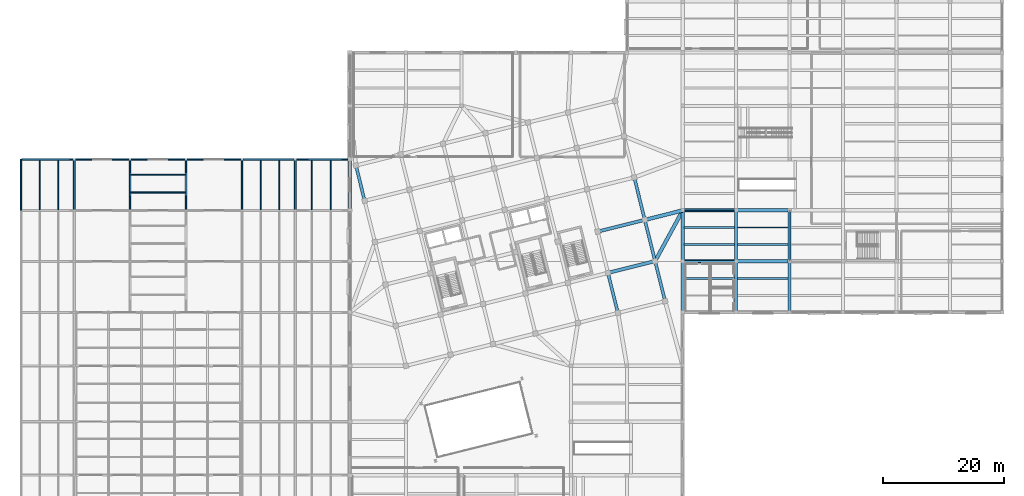
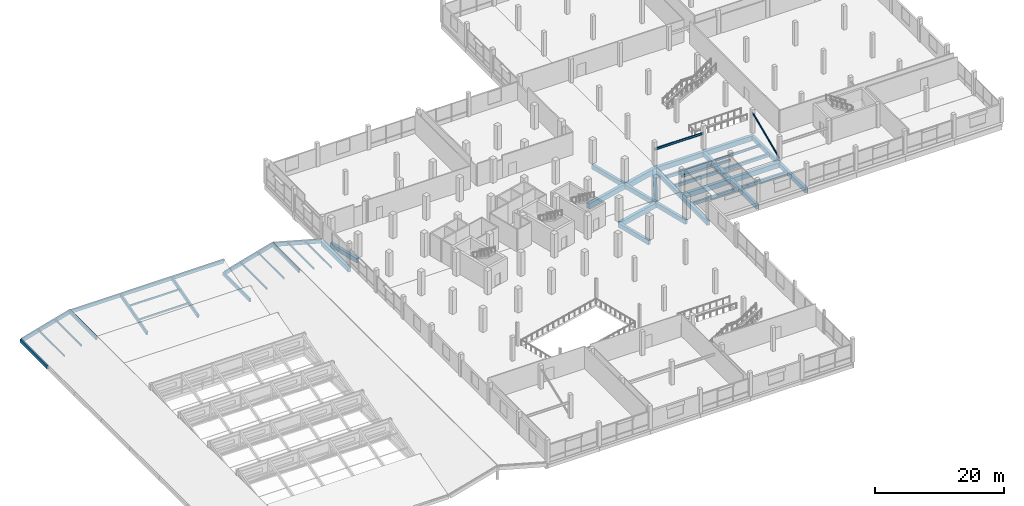
# One storey, part 36 of 77: 40 beams, 9 members.
"""IFC4 building model written with IfcOpenShell, lengths in metres."""

from ifc_helpers import new_model, si_unit, direction, frame, origin, origin_2d, place, context, subcontext, project, spatial, rectangle, hollow_circle, i_section, extrude, material, material_profile, profile_set, type_object, element, save


model = new_model("IFC4")

# Units and contexts
model_context = context("Model", 3, precision=1e-05, world=origin(), true_north=direction((0.0, 1.0)))
body_context = subcontext(model_context, "Body", "Model", "MODEL_VIEW")
ifc_project = project(units=[si_unit("LENGTHUNIT", "METRE"), si_unit("AREAUNIT", "SQUARE_METRE"), si_unit("VOLUMEUNIT", "CUBIC_METRE"), si_unit("PLANEANGLEUNIT", "RADIAN"), si_unit("MASSUNIT", "GRAM", prefix="KILO")], contexts=[model_context])

# Site, building, storey
site_placement = place(None, origin())
site = spatial("IfcSite", under=ifc_project, at=site_placement, CompositionType="ELEMENT")
building_placement = place(site_placement, origin())
building = spatial("IfcBuilding", under=site, at=building_placement, Name="Meriwether Solvik Hall", CompositionType="ELEMENT")
storey_placement = place(building_placement, frame((0.0, 0.0, 9.89990234375)))
storey = spatial("IfcBuildingStorey", under=building, at=storey_placement, Name="L02", CompositionType="ELEMENT", Elevation=9.89990234375)

# Beams
ifc_material_1 = material(Name="Glulam Douglas-Fir 24F-V8 GL28h", Category="wood")
ifc_material_profile_1 = material_profile(ifc_material_1, rectangle(XDim=0.27294921875, YDim=0.610107421875, at=origin_2d()), Name="GLB-273X610")
ifc_profile_set_1 = profile_set([ifc_material_profile_1], Name="Glulam Douglas-Fir 24F-V8 GL28h")
beam_type_1 = type_object("IfcBeamType", Name="BM-GL-273X610", PredefinedType="SPANDREL", material=ifc_profile_set_1)
for number, where, z_axis, x_axis, name in (
    (1, (5.199951171875, 66.800048828125, -0.323974609375), (0.0, 1.0, 0.0), (-1.0, 0.0, 0.0), "Roof Tie Beam 1:H-I (L02)"),
    (2, (14.0, 66.800048828125, 2.135986328125), (0.0, 1.0, 0.0), (-1.0, 0.0, 0.0), "Roof Tie Beam 2:H-I (L02)"),
):
    element("IfcBeam", number, at=place(storey_placement, frame(where, z_axis=z_axis, x_axis=x_axis)), inside=storey, type_object=beam_type_1, Name=name, PredefinedType="SPANDREL", context=body_context, shape_type="SweptSolid", body=[
        extrude(rectangle(XDim=0.27294921875, YDim=0.610107421875, at=origin_2d()), origin(), (0.0, 0.0, 1.0), 8.39990234375),
    ])
for number, where, z_axis, x_axis, name in (
    (3, (14.0, 75.199951171875, 2.035888671875), (1.0, 0.0, 0.0), (0.0, 1.0, 0.0), "Roof Tie Beam I:2-3 (L02)"),
    (4, (23.199951171875, 75.199951171875, 2.035888671875), (1.0, 0.0, 0.0), (0.0, 1.0, 0.0), "Roof Tie Beam I:3-4 (L02)"),
):
    element("IfcBeam", number, at=place(storey_placement, frame(where, z_axis=z_axis, x_axis=x_axis)), inside=storey, type_object=beam_type_1, Name=name, PredefinedType="SPANDREL", context=body_context, shape_type="SweptSolid", body=[
        extrude(rectangle(XDim=0.27294921875, YDim=0.610107421875, at=origin_2d()), origin(), (0.0, 0.0, 1.0), 9.199951171875),
    ])
beam_1_placement = place(storey_placement, frame((32.39990234375, 75.199951171875, 2.035888671875), z_axis=(1.0, 0.0, 0.0), x_axis=(0.0, 1.0, 0.0)))
element("IfcBeam", 5, at=beam_1_placement, inside=storey, type_object=beam_type_1, Name="Roof Tie Beam I:4-5 (L02)", PredefinedType="SPANDREL", context=body_context, shape_type="SweptSolid", body=[
    extrude(rectangle(XDim=0.27294921875, YDim=0.610107421875, at=origin_2d()), origin(), (0.0, 0.0, 1.0), 9.2001953125),
])
for number, where, z_axis, x_axis, name in (
    (6, (41.60009765625, 66.800048828125, -0.323974609375), (0.0, 1.0, 0.0), (-1.0, 0.0, 0.0), "Roof Tie Beam 5:H-I (L02)"),
    (7, (50.39990234375, 66.800048828125, 2.135986328125), (0.0, 1.0, 0.0), (-1.0, 0.0, 0.0), "Roof Tie Beam 6:H-I (L02)"),
):
    element("IfcBeam", number, at=place(storey_placement, frame(where, z_axis=z_axis, x_axis=x_axis)), inside=storey, type_object=beam_type_1, Name=name, PredefinedType="SPANDREL", context=body_context, shape_type="SweptSolid", body=[
        extrude(rectangle(XDim=0.27294921875, YDim=0.610107421875, at=origin_2d()), origin(), (0.0, 0.0, 1.0), 8.39990234375),
    ])
ifc_material_2 = material(Name="Glulam Douglas-Fir 24F-V8 GL28h", Category="wood")
ifc_material_profile_2 = material_profile(ifc_material_2, rectangle(XDim=0.27294921875, YDim=0.68505859375, at=origin_2d()), Name="GLB-273X685")
ifc_profile_set_2 = profile_set([ifc_material_profile_2], Name="Glulam Douglas-Fir 24F-V8 GL28h")
beam_type_2 = type_object("IfcBeamType", Name="BM-GL-273X685", PredefinedType="BEAM", material=ifc_profile_set_2)
beam_2_placement = place(storey_placement, frame((5.420166015625, 75.199951171875, -0.31298828125), z_axis=(0.963077401933, 0.0, 0.269224660621), x_axis=(0.0, 1.0, 0.0)))
element("IfcBeam", 8, at=beam_2_placement, inside=storey, type_object=beam_type_2, Name="Raking Glulam Roof Rafter w1_west_aisle-I (L02)", PredefinedType="BEAM", context=body_context, shape_type="SweptSolid", body=[
    extrude(rectangle(XDim=0.27294921875, YDim=0.68505859375, at=origin_2d()), origin(), (0.0, 0.0, 1.0), 8.87158203125),
])
for number, where, z_axis, x_axis, name in (
    (9, (23.199951171875, 67.020751953125, -0.312744140625), (0.0, 0.962731057021, 0.270460555066), (-1.0, 0.0, 0.0), "Raking Glulam Roof Rafter w1_north_s3-3 (L02)"),
    (10, (32.39990234375, 67.020751953125, -0.312744140625), (0.0, 0.962731057021, 0.270460555066), (-1.0, 0.0, 0.0), "Raking Glulam Roof Rafter w1_north_s3-4 (L02)"),
):
    element("IfcBeam", number, at=place(storey_placement, frame(where, z_axis=z_axis, x_axis=x_axis)), inside=storey, type_object=beam_type_2, Name=name, PredefinedType="BEAM", context=body_context, shape_type="SweptSolid", body=[
        extrude(rectangle(XDim=0.27294921875, YDim=0.68505859375, at=origin_2d()), origin(), (0.0, 0.0, 1.0), 8.458984375),
    ])
beam_3_placement = place(storey_placement, frame((41.8203125, 75.199951171875, -0.31298828125), z_axis=(0.963077401933, 0.0, 0.269224660621), x_axis=(0.0, 1.0, 0.0)))
element("IfcBeam", 11, at=beam_3_placement, inside=storey, type_object=beam_type_2, Name="Raking Glulam Roof Rafter w1_east_gbl_w-I (L02)", PredefinedType="BEAM", context=body_context, shape_type="SweptSolid", body=[
    extrude(rectangle(XDim=0.27294921875, YDim=0.68505859375, at=origin_2d()), origin(), (0.0, 0.0, 1.0), 8.87158203125),
])
beam_4_placement = place(storey_placement, frame((59.181640625, 75.199951171875, -0.314208984375), z_axis=(-0.964611383686, 0.0, 0.263675707002), x_axis=(0.0, -1.0, 0.0)))
element("IfcBeam", 12, at=beam_4_placement, inside=storey, type_object=beam_type_2, Name="Raking Glulam Roof Rafter w1_east_gbl_e-I (L02)", PredefinedType="BEAM", context=body_context, shape_type="SweptSolid", body=[
    extrude(rectangle(XDim=0.27294921875, YDim=0.68505859375, at=origin_2d()), origin(), (0.0, 0.0, 1.0), 9.064697265625),
])
ifc_material_3 = material(Name="Concrete C40/50", Category="concrete")
ifc_material_profile_3 = material_profile(ifc_material_3, rectangle(XDim=0.300048828125, YDim=0.449951171875, at=origin_2d()), Name="RCB-300X450")
ifc_profile_set_3 = profile_set([ifc_material_profile_3], Name="Concrete C40/50")
beam_type_3 = type_object("IfcBeamType", Name="BM-RC-300X450", PredefinedType="LINTEL", material=ifc_profile_set_3)
beam_5_placement = place(storey_placement, frame((114.199951171875, 58.39990234375, 2.925048828125), z_axis=(1.0, 0.0, 0.0), x_axis=(0.0, 1.0, 0.0)))
element("IfcBeam", 13, at=beam_5_placement, inside=storey, type_object=beam_type_3, Name="Galleria Portal Lintel G:13-14 (L02)", PredefinedType="LINTEL", context=body_context, shape_type="SweptSolid", body=[
    extrude(rectangle(XDim=0.300048828125, YDim=0.449951171875, at=origin_2d()), origin(), (0.0, 0.0, 1.0), 8.800048828125),
])
ifc_material_4 = material(Name="Concrete C40/50", Category="concrete")
ifc_material_profile_4 = material_profile(ifc_material_4, rectangle(XDim=0.35009765625, YDim=0.60009765625, at=origin_2d()), Name="RCB-350X600")
ifc_profile_set_4 = profile_set([ifc_material_profile_4], Name="Concrete C40/50")
beam_type_4 = type_object("IfcBeamType", Name="BM-RC-350X600", PredefinedType="JOIST", material=ifc_profile_set_4)
for number, where, z_axis, x_axis, name in (
    (14, (114.445068359375, 55.60009765625, -0.75), (1.0, 0.0, 0.0), (0.0, 1.0, 0.0), "Secondary Floor Joist 13/F_J2 (L02)"),
    (15, (114.445068359375, 61.199951171875, -0.75), (1.0, 0.0, 0.0), (0.0, 1.0, 0.0), "Secondary Floor Joist 13/G_J1 (L02)"),
    (16, (114.445068359375, 64.0, -0.75), (1.0, 0.0, 0.0), (0.0, 1.0, 0.0), "Secondary Floor Joist 13/G_J2 (L02)"),
    (17, (123.2451171875, 55.60009765625, -0.75), (1.0, 0.0, 0.0), (0.0, 1.0, 0.0), "Secondary Floor Joist 14/F_J2 (L02)"),
    (18, (123.2451171875, 61.199951171875, -0.75), (1.0, 0.0, 0.0), (0.0, 1.0, 0.0), "Secondary Floor Joist 14/G_J1 (L02)"),
):
    element("IfcBeam", number, at=place(storey_placement, frame(where, z_axis=z_axis, x_axis=x_axis)), inside=storey, type_object=beam_type_4, Name=name, PredefinedType="JOIST", context=body_context, shape_type="SweptSolid", body=[
        extrude(rectangle(XDim=0.35009765625, YDim=0.60009765625, at=origin_2d()), origin(), (0.0, 0.0, 1.0), 8.309814453125),
    ])
ifc_material_5 = material(Name="Concrete C40/50", Category="concrete")
ifc_material_profile_5 = material_profile(ifc_material_5, rectangle(XDim=0.5, YDim=0.85009765625, at=origin_2d()), Name="RCB-500X850")
ifc_profile_set_5 = profile_set([ifc_material_profile_5], Name="Concrete C40/50")
beam_type_5 = type_object("IfcBeamType", Name="BM-RC-500X850", PredefinedType="BEAM", material=ifc_profile_set_5)
for number, where, z_axis, x_axis, name in (
    (19, (59.39990234375, 66.800048828125, -0.7548828125), (0.0, 1.0, 0.0), (-1.0, 0.0, 0.0), "Podium Girder 7:H-I (L02)"),
    (20, (114.199951171875, 50.0, -0.875), (0.0, 1.0, 0.0), (-1.0, 0.0, 0.0), "Podium Girder 13:F-G (L02)"),
):
    element("IfcBeam", number, at=place(storey_placement, frame(where, z_axis=z_axis, x_axis=x_axis)), inside=storey, type_object=beam_type_5, Name=name, PredefinedType="BEAM", context=body_context, shape_type="SweptSolid", body=[
        extrude(rectangle(XDim=0.5, YDim=0.85009765625, at=origin_2d()), origin(), (0.0, 0.0, 1.0), 8.39990234375),
    ])
beam_6_placement = place(storey_placement, frame((114.199951171875, 58.39990234375, -0.875), z_axis=(0.0, 1.0, 0.0), x_axis=(-1.0, 0.0, 0.0)))
element("IfcBeam", 21, at=beam_6_placement, inside=storey, type_object=beam_type_5, Name="Podium Girder 13:G-H (L02)", PredefinedType="BEAM", context=body_context, shape_type="SweptSolid", body=[
    extrude(rectangle(XDim=0.5, YDim=0.85009765625, at=origin_2d()), origin(), (0.0, 0.0, 1.0), 8.400146484375),
])
beam_7_placement = place(storey_placement, frame((123.0, 50.0, -0.875), z_axis=(0.0, 1.0, 0.0), x_axis=(-1.0, 0.0, 0.0)))
element("IfcBeam", 22, at=beam_7_placement, inside=storey, type_object=beam_type_5, Name="Podium Girder 14:F-G (L02)", PredefinedType="BEAM", context=body_context, shape_type="SweptSolid", body=[
    extrude(rectangle(XDim=0.5, YDim=0.85009765625, at=origin_2d()), origin(), (0.0, 0.0, 1.0), 8.39990234375),
])
beam_8_placement = place(storey_placement, frame((123.0, 58.39990234375, -0.875), z_axis=(0.0, 1.0, 0.0), x_axis=(-1.0, 0.0, 0.0)))
element("IfcBeam", 23, at=beam_8_placement, inside=storey, type_object=beam_type_5, Name="Podium Girder 14:G-H (L02)", PredefinedType="BEAM", context=body_context, shape_type="SweptSolid", body=[
    extrude(rectangle(XDim=0.5, YDim=0.85009765625, at=origin_2d()), origin(), (0.0, 0.0, 1.0), 8.400146484375),
])
beam_9_placement = place(storey_placement, frame((131.800048828125, 50.0, -0.875), z_axis=(0.0, 1.0, 0.0), x_axis=(-1.0, 0.0, 0.0)))
element("IfcBeam", 24, at=beam_9_placement, inside=storey, type_object=beam_type_5, Name="Podium Girder 15:F-G (L02)", PredefinedType="BEAM", context=body_context, shape_type="SweptSolid", body=[
    extrude(rectangle(XDim=0.5, YDim=0.85009765625, at=origin_2d()), origin(), (0.0, 0.0, 1.0), 8.39990234375),
])
beam_10_placement = place(storey_placement, frame((131.800048828125, 58.39990234375, -0.875), z_axis=(0.0, 1.0, 0.0), x_axis=(-1.0, 0.0, 0.0)))
element("IfcBeam", 25, at=beam_10_placement, inside=storey, type_object=beam_type_5, Name="Podium Girder 15:G-H (L02)", PredefinedType="BEAM", context=body_context, shape_type="SweptSolid", body=[
    extrude(rectangle(XDim=0.5, YDim=0.85009765625, at=origin_2d()), origin(), (0.0, 0.0, 1.0), 8.400146484375),
])
beam_11_placement = place(storey_placement, frame((61.826171875, 68.3681640625, -0.7548828125), z_axis=(-0.241903677572, 0.970300268359, 0.0), x_axis=(-0.970300268359, -0.241903677572, 0.0)))
element("IfcBeam", 26, at=beam_11_placement, inside=storey, type_object=beam_type_5, Name="Tower Girder T1:TE-TF (L02)", PredefinedType="BEAM", context=body_context, shape_type="SweptSolid", body=[
    extrude(rectangle(XDim=0.5, YDim=0.85009765625, at=origin_2d()), origin(), (0.0, 0.0, 1.0), 6.0),
])
for number, where, z_axis, x_axis, name in (
    (27, (103.53076171875, 49.9091796875, -0.7548828125), (-0.2419526798, 0.970288050394, 0.0), (-0.970288050394, -0.2419526798, 0.0), "Tower Girder T6:TA-TB (L02)"),
    (28, (111.29296875, 51.844482421875, -0.7548828125), (-0.24191045034, 0.970298579828, 0.0), (-0.970298579828, -0.24191045034, 0.0), "Tower Girder T7:TA-TB (L02)"),
):
    element("IfcBeam", number, at=place(storey_placement, frame(where, z_axis=z_axis, x_axis=x_axis)), inside=storey, type_object=beam_type_5, Name=name, PredefinedType="BEAM", context=body_context, shape_type="SweptSolid", body=[
        extrude(rectangle(XDim=0.5, YDim=0.85009765625, at=origin_2d()), origin(), (0.0, 0.0, 1.0), 6.800048828125),
    ])
beam_12_placement = place(storey_placement, frame((109.64794921875, 58.442626953125, -0.7548828125), z_axis=(-0.241911879182, 0.970298223594, 0.0), x_axis=(-0.970298223594, -0.241911879182, 0.0)))
element("IfcBeam", 29, at=beam_12_placement, inside=storey, type_object=beam_type_5, Name="Tower Girder T7:TB-TC (L02)", PredefinedType="BEAM", context=body_context, shape_type="SweptSolid", body=[
    extrude(rectangle(XDim=0.5, YDim=0.85009765625, at=origin_2d()), origin(), (0.0, 0.0, 1.0), 7.0),
])
beam_13_placement = place(storey_placement, frame((107.95458984375, 65.234619140625, -0.7548828125), z_axis=(-0.241937193493, 0.970291911955, 0.0), x_axis=(-0.970291911955, -0.241937193493, 0.0)))
element("IfcBeam", 30, at=beam_13_placement, inside=storey, type_object=beam_type_5, Name="Tower Girder T7:TC-TD (L02)", PredefinedType="BEAM", context=body_context, shape_type="SweptSolid", body=[
    extrude(rectangle(XDim=0.5, YDim=0.85009765625, at=origin_2d()), origin(), (0.0, 0.0, 1.0), 7.199951171875),
])
ifc_material_6 = material(Name="Concrete C40/50", Category="concrete")
ifc_material_profile_6 = material_profile(ifc_material_6, rectangle(XDim=0.550048828125, YDim=0.949951171875, at=origin_2d()), Name="RCB-550X950")
ifc_profile_set_6 = profile_set([ifc_material_profile_6], Name="Concrete C40/50")
beam_type_6 = type_object("IfcBeamType", Name="BM-RC-550X950", PredefinedType="BEAM", material=ifc_profile_set_6)
for number, where, z_axis, x_axis, name in (
    (31, (114.199951171875, 58.39990234375, -0.9248046875), (1.0, 0.0, 0.0), (0.0, 1.0, 0.0), "Podium Girder G:13-14 (L02)"),
    (32, (123.0, 58.39990234375, -0.9248046875), (1.0, 0.0, 0.0), (0.0, 1.0, 0.0), "Podium Girder G:14-15 (L02)"),
    (33, (114.199951171875, 66.800048828125, -0.9248046875), (1.0, 0.0, 0.0), (0.0, 1.0, 0.0), "Podium Girder H:13-14 (L02)"),
    (34, (123.0, 66.800048828125, -0.9248046875), (1.0, 0.0, 0.0), (0.0, 1.0, 0.0), "Podium Girder H:14-15 (L02)"),
):
    element("IfcBeam", number, at=place(storey_placement, frame(where, z_axis=z_axis, x_axis=x_axis)), inside=storey, type_object=beam_type_6, Name=name, PredefinedType="BEAM", context=body_context, shape_type="SweptSolid", body=[
        extrude(rectangle(XDim=0.550048828125, YDim=0.949951171875, at=origin_2d()), origin(), (0.0, 0.0, 1.0), 8.800048828125),
    ])
beam_14_placement = place(storey_placement, frame((101.885498046875, 56.507080078125, -0.804931640625), z_axis=(0.970291312354, 0.241939598187, 0.0), x_axis=(-0.241939598187, 0.970291312354, 0.0)))
element("IfcBeam", 35, at=beam_14_placement, inside=storey, type_object=beam_type_6, Name="Tower Girder TB:T6-T7 (L02)", PredefinedType="BEAM", context=body_context, shape_type="SweptSolid", body=[
    extrude(rectangle(XDim=0.550048828125, YDim=0.949951171875, at=origin_2d()), origin(), (0.0, 0.0, 1.0), 8.000244140625),
])
beam_15_placement = place(storey_placement, frame((100.192138671875, 63.29931640625, -0.804931640625), z_axis=(0.970298475929, 0.241910867076, 0.0), x_axis=(-0.241910867076, 0.970298475929, 0.0)))
element("IfcBeam", 36, at=beam_15_placement, inside=storey, type_object=beam_type_6, Name="Tower Girder TC:T6-T7 (L02)", PredefinedType="BEAM", context=body_context, shape_type="SweptSolid", body=[
    extrude(rectangle(XDim=0.550048828125, YDim=0.949951171875, at=origin_2d()), origin(), (0.0, 0.0, 1.0), 8.0),
])
ifc_material_7 = material(Name="Concrete C40/50", Category="concrete")
ifc_material_profile_7 = material_profile(ifc_material_7, rectangle(XDim=0.60009765625, YDim=1.050048828125, at=origin_2d()), Name="RCB-600X1050")
ifc_profile_set_7 = profile_set([ifc_material_profile_7], Name="Concrete C40/50")
beam_type_7 = type_object("IfcBeamType", Name="BM-RC-600X1050", PredefinedType="BEAM", material=ifc_profile_set_7)
beam_16_placement = place(storey_placement, frame((109.64794921875, 58.442626953125, -0.974853515625), z_axis=(0.478318210879, 0.878186591301, 0.0), x_axis=(-0.878186591301, 0.478318210879, 0.0)))
element("IfcBeam", 37, at=beam_16_placement, inside=storey, type_object=beam_type_7, Name="Diaphragm Collector Girder T7/TB-13/H (L02)", PredefinedType="BEAM", context=body_context, shape_type="SweptSolid", body=[
    extrude(rectangle(XDim=0.60009765625, YDim=1.050048828125, at=origin_2d()), origin(), (0.0, 0.0, 1.0), 9.5166015625),
])
beam_17_placement = place(storey_placement, frame((107.95458984375, 65.234619140625, -0.974853515625), z_axis=(0.969992872522, 0.243133352825, 0.0), x_axis=(-0.243133352825, 0.969992872522, 0.0)))
element("IfcBeam", 38, at=beam_17_placement, inside=storey, type_object=beam_type_7, Name="Diaphragm Collector Girder T7/TC-13/H (L02)", PredefinedType="BEAM", context=body_context, shape_type="SweptSolid", body=[
    extrude(rectangle(XDim=0.60009765625, YDim=1.050048828125, at=origin_2d()), origin(), (0.0, 0.0, 1.0), 6.4384765625),
])
ifc_material_8 = material(Name="Steel A992 Grade 50", Category="steel")
ifc_material_profile_8 = material_profile(ifc_material_8, i_section(OverallWidth=0.180908203125, OverallDepth=0.4169921875, WebThickness=0.010986328125, FlangeThickness=0.018310546875, at=origin_2d()), Name="W16X57")
ifc_profile_set_8 = profile_set([ifc_material_profile_8], Name="Steel A992 Grade 50")
beam_type_8 = type_object("IfcBeamType", Name="BM-STL-W16X57", PredefinedType="LINTEL", material=ifc_profile_set_8)
beam_18_placement = place(storey_placement, frame((114.199951171875, 66.800048828125, 2.941650390625), z_axis=(1.0, 0.0, 0.0), x_axis=(0.0, 1.0, 0.0)))
element("IfcBeam", 39, at=beam_18_placement, inside=storey, type_object=beam_type_8, Name="Galleria Portal Lintel H:13-14 (L02)", PredefinedType="LINTEL", context=body_context, shape_type="SweptSolid", body=[
    extrude(i_section(OverallWidth=0.180908203125, OverallDepth=0.4169921875, WebThickness=0.010986328125, FlangeThickness=0.018310546875, at=origin_2d()), origin(), (0.0, 0.0, 1.0), 8.800048828125),
])
ifc_material_9 = material(Name="Steel A992 Grade 50", Category="steel")
ifc_material_profile_9 = material_profile(ifc_material_9, i_section(OverallWidth=0.19091796875, OverallDepth=0.45703125, WebThickness=0.009033203125, FlangeThickness=0.014404296875, at=origin_2d()), Name="W18X50")
ifc_profile_set_9 = profile_set([ifc_material_profile_9], Name="Steel A992 Grade 50")
beam_type_9 = type_object("IfcBeamType", Name="BM-STL-W18X50", PredefinedType="JOIST", material=ifc_profile_set_9)
beam_19_placement = place(storey_placement, frame((123.2451171875, 64.0, -0.678466796875), z_axis=(1.0, 0.0, 0.0), x_axis=(0.0, 1.0, 0.0)))
element("IfcBeam", 40, at=beam_19_placement, inside=storey, type_object=beam_type_9, Name="Secondary Floor Joist 14/G_J2 (L02)", PredefinedType="JOIST", context=body_context, shape_type="SweptSolid", body=[
    extrude(i_section(OverallWidth=0.19091796875, OverallDepth=0.45703125, WebThickness=0.009033203125, FlangeThickness=0.014404296875, at=origin_2d()), origin(), (0.0, 0.0, 1.0), 8.309814453125),
])

# Members
ifc_material_10 = material(Name="Steel A500 Grade C", Category="steel")
ifc_material_profile_10 = material_profile(ifc_material_10, hollow_circle(Radius=0.136474609375, WallThickness=0.0126953125, at=origin_2d()), Name="CHS273X12.7")
ifc_profile_set_10 = profile_set([ifc_material_profile_10], Name="Steel A500 Grade C")
member_type_1 = type_object("IfcMemberType", Name="MEM-BR-CHS273", PredefinedType="BRACE", material=ifc_profile_set_10)
member_placement = place(storey_placement, frame((131.800048828125, 58.39990234375, 0.150146484375), z_axis=(0.0, 0.918950131749, 0.394373750848), x_axis=(-1.0, 0.0, 0.0)))
element("IfcMember", 41, at=member_placement, inside=storey, type_object=member_type_1, Name="Podium Diagonal Brace L02-PB3", PredefinedType="BRACE", context=body_context, shape_type="SweptSolid", body=[
    extrude(hollow_circle(Radius=0.136474609375, WallThickness=0.0126953125, at=origin_2d()), origin(), (0.0, 0.0, 1.0), 9.14111328125),
])
ifc_material_11 = material(Name="Glulam Douglas-Fir 24F-V8 GL28h", Category="wood")
ifc_material_profile_11 = material_profile(ifc_material_11, rectangle(XDim=0.175048828125, YDim=0.304931640625, at=origin_2d()), Name="GLM-175X305")
ifc_profile_set_11 = profile_set([ifc_material_profile_11], Name="Glulam Douglas-Fir 24F-V8 GL28h")
member_type_2 = type_object("IfcMemberType", Name="MEM-PRL-GL175", PredefinedType="PURLIN", material=ifc_profile_set_11)
for number, where, z_axis, x_axis, name in (
    (42, (8.280029296875, 66.9326171875, 0.689453125), (0.0, 1.0, 0.0), (-1.0, 0.0, 0.0), "Sloped Roof Glulam Purlin w1_west_aisle-8.1"),
    (43, (11.360107421875, 66.9326171875, 1.550537109375), (0.0, 1.0, 0.0), (-1.0, 0.0, 0.0), "Sloped Roof Glulam Purlin w1_west_aisle-8.2"),
):
    element("IfcMember", number, at=place(storey_placement, frame(where, z_axis=z_axis, x_axis=x_axis)), inside=storey, type_object=member_type_2, Name=name, PredefinedType="PURLIN", context=body_context, shape_type="SweptSolid", body=[
        extrude(rectangle(XDim=0.175048828125, YDim=0.304931640625, at=origin_2d()), origin(), (0.0, 0.0, 1.0), 8.134765625),
    ])
for number, where, z_axis, x_axis, name in (
    (44, (23.33251953125, 69.739990234375, 0.654296875), (1.0, 0.0, 0.0), (0.0, 1.0, 0.0), "Sloped Roof Glulam Purlin w1_north_s3-1.1"),
    (45, (23.33251953125, 72.679931640625, 1.48046875), (1.0, 0.0, 0.0), (0.0, 1.0, 0.0), "Sloped Roof Glulam Purlin w1_north_s3-1.2"),
):
    element("IfcMember", number, at=place(storey_placement, frame(where, z_axis=z_axis, x_axis=x_axis)), inside=storey, type_object=member_type_2, Name=name, PredefinedType="PURLIN", context=body_context, shape_type="SweptSolid", body=[
        extrude(rectangle(XDim=0.175048828125, YDim=0.304931640625, at=origin_2d()), origin(), (0.0, 0.0, 1.0), 8.93505859375),
    ])
for number, where, z_axis, x_axis, name in (
    (46, (44.679931640625, 66.9326171875, 0.689453125), (0.0, 1.0, 0.0), (-1.0, 0.0, 0.0), "Sloped Roof Glulam Purlin w1_east_gbl_w-8.1"),
    (47, (47.760009765625, 66.9326171875, 1.550537109375), (0.0, 1.0, 0.0), (-1.0, 0.0, 0.0), "Sloped Roof Glulam Purlin w1_east_gbl_w-8.2"),
    (48, (56.25, 66.9326171875, 0.689697265625), (0.0, 1.0, 0.0), (-1.0, 0.0, 0.0), "Sloped Roof Glulam Purlin w1_east_gbl_e-8.1"),
    (49, (53.10009765625, 66.9326171875, 1.55078125), (0.0, 1.0, 0.0), (-1.0, 0.0, 0.0), "Sloped Roof Glulam Purlin w1_east_gbl_e-8.2"),
):
    element("IfcMember", number, at=place(storey_placement, frame(where, z_axis=z_axis, x_axis=x_axis)), inside=storey, type_object=member_type_2, Name=name, PredefinedType="PURLIN", context=body_context, shape_type="SweptSolid", body=[
        extrude(rectangle(XDim=0.175048828125, YDim=0.304931640625, at=origin_2d()), origin(), (0.0, 0.0, 1.0), 8.134765625),
    ])

save(model, "model.ifc")
